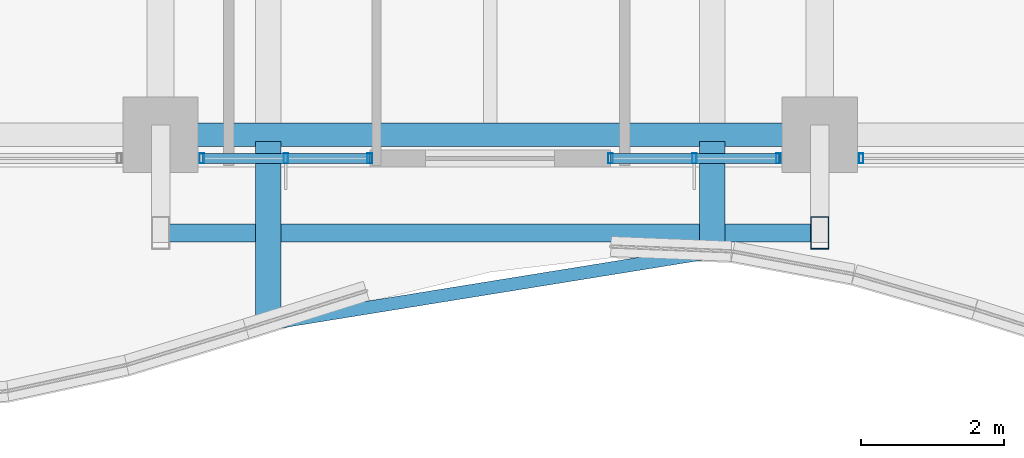
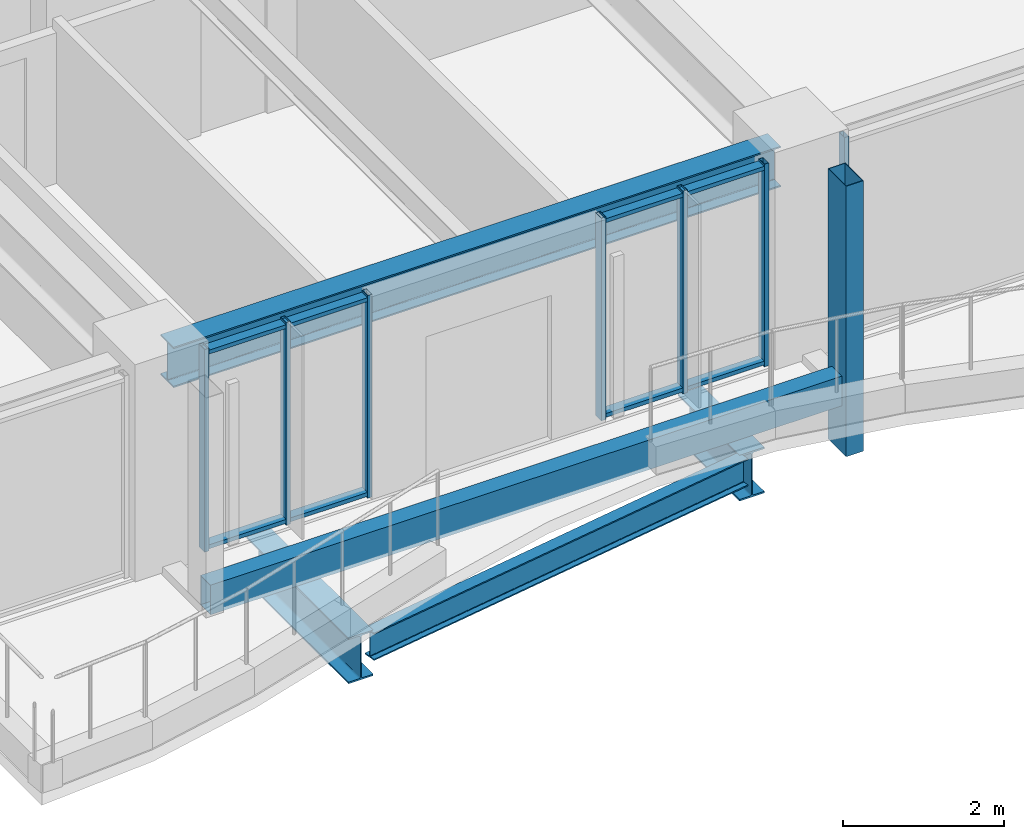
# One storey, part 5 of 38: 13 members, 4 beams, 3 elements without a shape of their own.
"""IFC4 building model written with IfcOpenShell, lengths in metres."""

from ifc_helpers import new_model, si_unit, direction, frame, origin, origin_2d, place, context, subcontext, project, spatial, hollow_rectangle, i_section, extrude, material, material_profile, profile_set, type_object, element, aggregate, save


model = new_model("IFC4")

# Units and contexts
model_context = context("Model", 3, precision=1e-05, world=origin(), true_north=direction((0.0, 1.0)))
body_context = subcontext(model_context, "Body", "Model", "MODEL_VIEW")
ifc_project = project(units=[si_unit("LENGTHUNIT", "METRE"), si_unit("AREAUNIT", "SQUARE_METRE"), si_unit("VOLUMEUNIT", "CUBIC_METRE"), si_unit("PLANEANGLEUNIT", "RADIAN"), si_unit("MASSUNIT", "GRAM", prefix="KILO")], contexts=[model_context])

# Site, building, storey
site_placement = place(None, origin())
site = spatial("IfcSite", under=ifc_project, at=site_placement, CompositionType="ELEMENT")
building_placement = place(site_placement, origin())
building = spatial("IfcBuilding", under=site, at=building_placement, Name="Kolvaren Belvedere", CompositionType="ELEMENT")
storey_placement = place(building_placement, frame((0.0, 0.0, 72.199951171875)))
storey = spatial("IfcBuildingStorey", under=building, at=storey_placement, Name="L20", CompositionType="ELEMENT", Elevation=72.199951171875)

# Beams
ifc_material_1 = material(Name="Structural steel ASTM A992 Grade 50", Category="steel")
ifc_material_profile_1 = material_profile(ifc_material_1, i_section(OverallWidth=0.35498046875, OverallDepth=0.696044921875, WebThickness=0.015380859375, FlangeThickness=0.02490234375, FilletRadius=0.02197265625, at=origin_2d()), Name="W27X146")
ifc_profile_set_1 = profile_set([ifc_material_profile_1], Name="Structural steel ASTM A992 Grade 50")
beam_type_1 = type_object("IfcBeamType", Name="BM-CANT-BAL", PredefinedType="BEAM", material=ifc_profile_set_1)
beam_1_placement = place(storey_placement, frame((-3.10009765625, -20.044921875, -0.56787109375), z_axis=(0.0, -1.0, 0.0), x_axis=(1.0, 0.0, 0.0)))
element("IfcBeam", 1, at=beam_1_placement, inside=storey, type_object=beam_type_1, Name="L20 Planted Balcony Cantilever BAL-S-1", PredefinedType="BEAM", context=body_context, shape_type="SweptSolid", body=[
    extrude(i_section(OverallWidth=0.35498046875, OverallDepth=0.696044921875, WebThickness=0.015380859375, FlangeThickness=0.02490234375, FilletRadius=0.02197265625, at=origin_2d()), origin(), (0.0, 0.0, 1.0), 2.541259765625),
])
beam_2_placement = place(storey_placement, frame((3.10009765625, -20.044921875, -0.56787109375), z_axis=(0.0, -1.0, 0.0), x_axis=(1.0, 0.0, 0.0)))
element("IfcBeam", 2, at=beam_2_placement, inside=storey, type_object=beam_type_1, Name="L20 Planted Balcony Cantilever BAL-S-2", PredefinedType="BEAM", context=body_context, shape_type="SweptSolid", body=[
    extrude(i_section(OverallWidth=0.35498046875, OverallDepth=0.696044921875, WebThickness=0.015380859375, FlangeThickness=0.02490234375, FilletRadius=0.02197265625, at=origin_2d()), origin(), (0.0, 0.0, 1.0), 1.54052734375),
])
ifc_material_2 = material(Name="Structural steel ASTM A992 Grade 50", Category="steel")
ifc_material_profile_2 = material_profile(ifc_material_2, i_section(OverallWidth=0.180908203125, OverallDepth=0.4169921875, WebThickness=0.010986328125, FlangeThickness=0.018310546875, FilletRadius=0.013916015625, at=origin_2d()), Name="W16X57")
ifc_profile_set_2 = profile_set([ifc_material_profile_2], Name="Structural steel ASTM A992 Grade 50")
beam_type_2 = type_object("IfcBeamType", Name="BM-EDGE-W16X57", PredefinedType="BEAM", material=ifc_profile_set_2)
beam_3_placement = place(storey_placement, frame((-2.9619140625, -22.56396484375, -0.428466796875), z_axis=(0.987219034838, 0.159369310891, 0.0), x_axis=(-0.159369310891, 0.987219034838, 0.0)))
element("IfcBeam", 3, at=beam_3_placement, inside=storey, type_object=beam_type_2, Name="L20 Balcony Tip Header Beam BAL-S", PredefinedType="BEAM", context=body_context, shape_type="SweptSolid", body=[
    extrude(i_section(OverallWidth=0.180908203125, OverallDepth=0.4169921875, WebThickness=0.010986328125, FlangeThickness=0.018310546875, FilletRadius=0.013916015625, at=origin_2d()), origin(), (0.0, 0.0, 1.0), 6.00048828125),
])
ifc_material_3 = material(Name="Structural steel ASTM A992 Grade 50", Category="steel")
ifc_material_profile_3 = material_profile(ifc_material_3, i_section(OverallWidth=0.324951171875, OverallDepth=0.615966796875, WebThickness=0.013916015625, FlangeThickness=0.021484375, FilletRadius=0.02001953125, at=origin_2d()), Name="W24X117")
ifc_profile_set_3 = profile_set([ifc_material_profile_3], Name="Structural steel ASTM A992 Grade 50")
beam_type_3 = type_object("IfcBeamType", Name="BM-SPAN-W24X117", PredefinedType="SPANDREL", material=ifc_profile_set_3)
beam_4_placement = place(storey_placement, frame((-4.36376953125, -19.949951171875, 2.77197265625), z_axis=(1.0, 0.0, 0.0), x_axis=(0.0, 1.0, 0.0)))
element("IfcBeam", 4, at=beam_4_placement, inside=storey, type_object=beam_type_3, Name="L20 Perimeter Spandrel S2-S3", PredefinedType="SPANDREL", context=body_context, shape_type="SweptSolid", body=[
    extrude(i_section(OverallWidth=0.324951171875, OverallDepth=0.615966796875, WebThickness=0.013916015625, FlangeThickness=0.021484375, FilletRadius=0.02001953125, at=origin_2d()), origin(), (0.0, 0.0, 1.0), 8.7275390625),
])

# Curtain wall, member
ifc_material_4 = material(Name="Anodised pale-metal aluminium AA 6063-T6", Category="aluminium")
curtain_wall_type = type_object("IfcCurtainWallType", Name="CW-Z2-MID", PredefinedType="NOTDEFINED", material=ifc_material_4)
curtain_wall_1_placement = place(storey_placement, origin())
curtain_wall_1 = element("IfcCurtainWall", 5, at=curtain_wall_1_placement, inside=storey, type_object=curtain_wall_type, Name="L20 Unitised Curtain Wall FCW-L20-S1-B1", PredefinedType="NOTDEFINED")
ifc_material_5 = material(Name="Anodised pale-metal aluminium AA 6063-T6", Category="aluminium")
ifc_material_profile_4 = material_profile(ifc_material_5, hollow_rectangle(XDim=0.06494140625, YDim=0.139892578125, WallThickness=0.00390625, at=origin_2d()), Name="ALU-MUL-140X65")
ifc_profile_set_4 = profile_set([ifc_material_profile_4], Name="Anodised pale-metal aluminium AA 6063-T6")
member_type_1 = type_object("IfcMemberType", Name="CW-MUL-140", PredefinedType="MULLION", material=ifc_profile_set_4)
member_1_placement = place(storey_placement, frame((5.177490234375, -20.280029296875, 0.0), z_axis=(0.0, 0.0, 1.0), x_axis=(1.0, 0.0, 0.0)))
member_1 = element("IfcMember", 6, at=member_1_placement, type_object=member_type_1, Name="FCW-L20-S1-B1 Unitised Mullion 3", PredefinedType="MULLION", context=body_context, shape_type="SweptSolid", body=[
    extrude(hollow_rectangle(XDim=0.06494140625, YDim=0.139892578125, WallThickness=0.00390625, at=origin_2d()), origin(), (0.0, 0.0, 1.0), 3.080078125),
])
aggregate(curtain_wall_1, [member_1])

# Curtain wall, members
curtain_wall_2_placement = place(storey_placement, origin())
curtain_wall_2 = element("IfcCurtainWall", 7, at=curtain_wall_2_placement, inside=storey, type_object=curtain_wall_type, Name="L20 Unitised Curtain Wall FCW-L20-S1-B2", PredefinedType="NOTDEFINED")
member_2_placement = place(storey_placement, frame((4.0224609375, -20.280029296875, 0.0), z_axis=(0.0, 0.0, 1.0), x_axis=(1.0, 0.0, 0.0)))
member_2 = element("IfcMember", 8, at=member_2_placement, type_object=member_type_1, Name="FCW-L20-S1-B2 Unitised Mullion 1", PredefinedType="MULLION", context=body_context, shape_type="SweptSolid", body=[
    extrude(hollow_rectangle(XDim=0.06494140625, YDim=0.139892578125, WallThickness=0.00390625, at=origin_2d()), origin(), (0.0, 0.0, 1.0), 3.080078125),
])
member_3_placement = place(storey_placement, frame((2.851318359375, -20.280029296875, 0.0), z_axis=(0.0, 0.0, 1.0), x_axis=(1.0, 0.0, 0.0)))
member_3 = element("IfcMember", 9, at=member_3_placement, type_object=member_type_1, Name="FCW-L20-S1-B2 Unitised Mullion 2", PredefinedType="MULLION", context=body_context, shape_type="SweptSolid", body=[
    extrude(hollow_rectangle(XDim=0.06494140625, YDim=0.139892578125, WallThickness=0.00390625, at=origin_2d()), origin(), (0.0, 0.0, 1.0), 3.080078125),
])
member_4_placement = place(storey_placement, frame((1.679931640625, -20.280029296875, 0.0), z_axis=(0.0, 0.0, 1.0), x_axis=(1.0, 0.0, 0.0)))
member_4 = element("IfcMember", 10, at=member_4_placement, type_object=member_type_1, Name="FCW-L20-S1-B2 Unitised Mullion 3", PredefinedType="MULLION", context=body_context, shape_type="SweptSolid", body=[
    extrude(hollow_rectangle(XDim=0.06494140625, YDim=0.139892578125, WallThickness=0.00390625, at=origin_2d()), origin(), (0.0, 0.0, 1.0), 3.080078125),
])

curtain_wall_3_placement = place(storey_placement, origin())
curtain_wall_3 = element("IfcCurtainWall", 11, at=curtain_wall_3_placement, inside=storey, type_object=curtain_wall_type, Name="L20 Unitised Curtain Wall FCW-L20-S2-B1", PredefinedType="NOTDEFINED")
member_5_placement = place(storey_placement, frame((-1.679931640625, -20.280029296875, 0.0), z_axis=(0.0, 0.0, 1.0), x_axis=(1.0, 0.0, 0.0)))
member_5 = element("IfcMember", 12, at=member_5_placement, type_object=member_type_1, Name="FCW-L20-S2-B1 Unitised Mullion 1", PredefinedType="MULLION", context=body_context, shape_type="SweptSolid", body=[
    extrude(hollow_rectangle(XDim=0.06494140625, YDim=0.139892578125, WallThickness=0.00390625, at=origin_2d()), origin(), (0.0, 0.0, 1.0), 3.080078125),
])
member_6_placement = place(storey_placement, frame((-2.851318359375, -20.280029296875, 0.0), z_axis=(0.0, 0.0, 1.0), x_axis=(1.0, 0.0, 0.0)))
member_6 = element("IfcMember", 13, at=member_6_placement, type_object=member_type_1, Name="FCW-L20-S2-B1 Unitised Mullion 2", PredefinedType="MULLION", context=body_context, shape_type="SweptSolid", body=[
    extrude(hollow_rectangle(XDim=0.06494140625, YDim=0.139892578125, WallThickness=0.00390625, at=origin_2d()), origin(), (0.0, 0.0, 1.0), 3.080078125),
])
member_7_placement = place(storey_placement, frame((-4.0224609375, -20.280029296875, 0.0), z_axis=(0.0, 0.0, 1.0), x_axis=(1.0, 0.0, 0.0)))
member_7 = element("IfcMember", 14, at=member_7_placement, type_object=member_type_1, Name="FCW-L20-S2-B1 Unitised Mullion 3", PredefinedType="MULLION", context=body_context, shape_type="SweptSolid", body=[
    extrude(hollow_rectangle(XDim=0.06494140625, YDim=0.139892578125, WallThickness=0.00390625, at=origin_2d()), origin(), (0.0, 0.0, 1.0), 3.080078125),
])

# Member
ifc_material_6 = material(Name="Anodised pale-metal aluminium AA 6063-T6", Category="aluminium")
ifc_material_profile_5 = material_profile(ifc_material_6, hollow_rectangle(XDim=0.06005859375, YDim=0.139892578125, WallThickness=0.00390625, at=origin_2d()), Name="ALU-TRN-140X60")
ifc_profile_set_5 = profile_set([ifc_material_profile_5], Name="Anodised pale-metal aluminium AA 6063-T6")
member_type_2 = type_object("IfcMemberType", Name="CW-TRN-140", PredefinedType="USERDEFINED", material=ifc_profile_set_5)
member_8_placement = place(storey_placement, frame((4.0224609375, -20.280029296875, 0.06005859375), z_axis=(-1.0, 0.0, 0.0), x_axis=(0.0, 0.0, 1.0)))
member_8 = element("IfcMember", 15, at=member_8_placement, type_object=member_type_2, Name="FCW-L20-S1-B2 Sill Transom", ObjectType="TRANSOM", PredefinedType="USERDEFINED", context=body_context, shape_type="SweptSolid", body=[
    extrude(hollow_rectangle(XDim=0.06005859375, YDim=0.139892578125, WallThickness=0.00390625, at=origin_2d()), origin(), (0.0, 0.0, 1.0), 2.342529296875),
])

member_9_placement = place(storey_placement, frame((4.0224609375, -20.280029296875, 3.02001953125), z_axis=(-1.0, 0.0, 0.0), x_axis=(0.0, 0.0, 1.0)))
member_9 = element("IfcMember", 16, at=member_9_placement, type_object=member_type_2, Name="FCW-L20-S1-B2 Head Transom", ObjectType="TRANSOM", PredefinedType="USERDEFINED", context=body_context, shape_type="SweptSolid", body=[
    extrude(hollow_rectangle(XDim=0.06005859375, YDim=0.139892578125, WallThickness=0.00390625, at=origin_2d()), origin(), (0.0, 0.0, 1.0), 2.342529296875),
])

aggregate(curtain_wall_2, [member_2, member_3, member_4, member_8, member_9])

member_10_placement = place(storey_placement, frame((-1.679931640625, -20.280029296875, 0.06005859375), z_axis=(-1.0, 0.0, 0.0), x_axis=(0.0, 0.0, 1.0)))
member_10 = element("IfcMember", 17, at=member_10_placement, type_object=member_type_2, Name="FCW-L20-S2-B1 Sill Transom", ObjectType="TRANSOM", PredefinedType="USERDEFINED", context=body_context, shape_type="SweptSolid", body=[
    extrude(hollow_rectangle(XDim=0.06005859375, YDim=0.139892578125, WallThickness=0.00390625, at=origin_2d()), origin(), (0.0, 0.0, 1.0), 2.342529296875),
])

member_11_placement = place(storey_placement, frame((-1.679931640625, -20.280029296875, 3.02001953125), z_axis=(-1.0, 0.0, 0.0), x_axis=(0.0, 0.0, 1.0)))
member_11 = element("IfcMember", 18, at=member_11_placement, type_object=member_type_2, Name="FCW-L20-S2-B1 Head Transom", ObjectType="TRANSOM", PredefinedType="USERDEFINED", context=body_context, shape_type="SweptSolid", body=[
    extrude(hollow_rectangle(XDim=0.06005859375, YDim=0.139892578125, WallThickness=0.00390625, at=origin_2d()), origin(), (0.0, 0.0, 1.0), 2.342529296875),
])

aggregate(curtain_wall_3, [member_5, member_6, member_7, member_10, member_11])

# Members
ifc_material_7 = material(Name="Anodised pale-metal aluminium AA 6063-T6", Category="aluminium")
ifc_material_profile_6 = material_profile(ifc_material_7, hollow_rectangle(XDim=0.25, YDim=0.449951171875, WallThickness=0.008544921875, at=origin_2d()), Name="ALU-PF-450X250")
ifc_profile_set_6 = profile_set([ifc_material_profile_6], Name="Anodised pale-metal aluminium AA 6063-T6")
member_type_3 = type_object("IfcMemberType", Name="PF-FRAME-450", PredefinedType="USERDEFINED", material=ifc_profile_set_6)
member_12_placement = place(storey_placement, frame((4.60009765625, -21.320068359375, -0.81005859375), z_axis=(0.0, 0.0, 1.0), x_axis=(1.0, 0.0, 0.0)))
element("IfcMember", 19, at=member_12_placement, inside=storey, type_object=member_type_3, Name="L20 Outboard Picture-Frame Vertical S1", ObjectType="PICTURE FRAME FIN", PredefinedType="USERDEFINED", context=body_context, shape_type="SweptSolid", body=[
    extrude(hollow_rectangle(XDim=0.25, YDim=0.449951171875, WallThickness=0.008544921875, at=origin_2d()), origin(), (0.0, 0.0, 1.0), 4.110107421875),
])
member_13_placement = place(storey_placement, frame((4.60009765625, -21.320068359375, 0.130126953125), z_axis=(-1.0, 0.0, 0.0), x_axis=(0.0, -1.0, 0.0)))
element("IfcMember", 20, at=member_13_placement, inside=storey, type_object=member_type_3, Name="L20 Outboard Picture-Frame Sill S", ObjectType="PICTURE FRAME FIN", PredefinedType="USERDEFINED", context=body_context, shape_type="SweptSolid", body=[
    extrude(hollow_rectangle(XDim=0.25, YDim=0.449951171875, WallThickness=0.008544921875, at=origin_2d()), origin(), (0.0, 0.0, 1.0), 9.2001953125),
])

save(model, "model.ifc")
